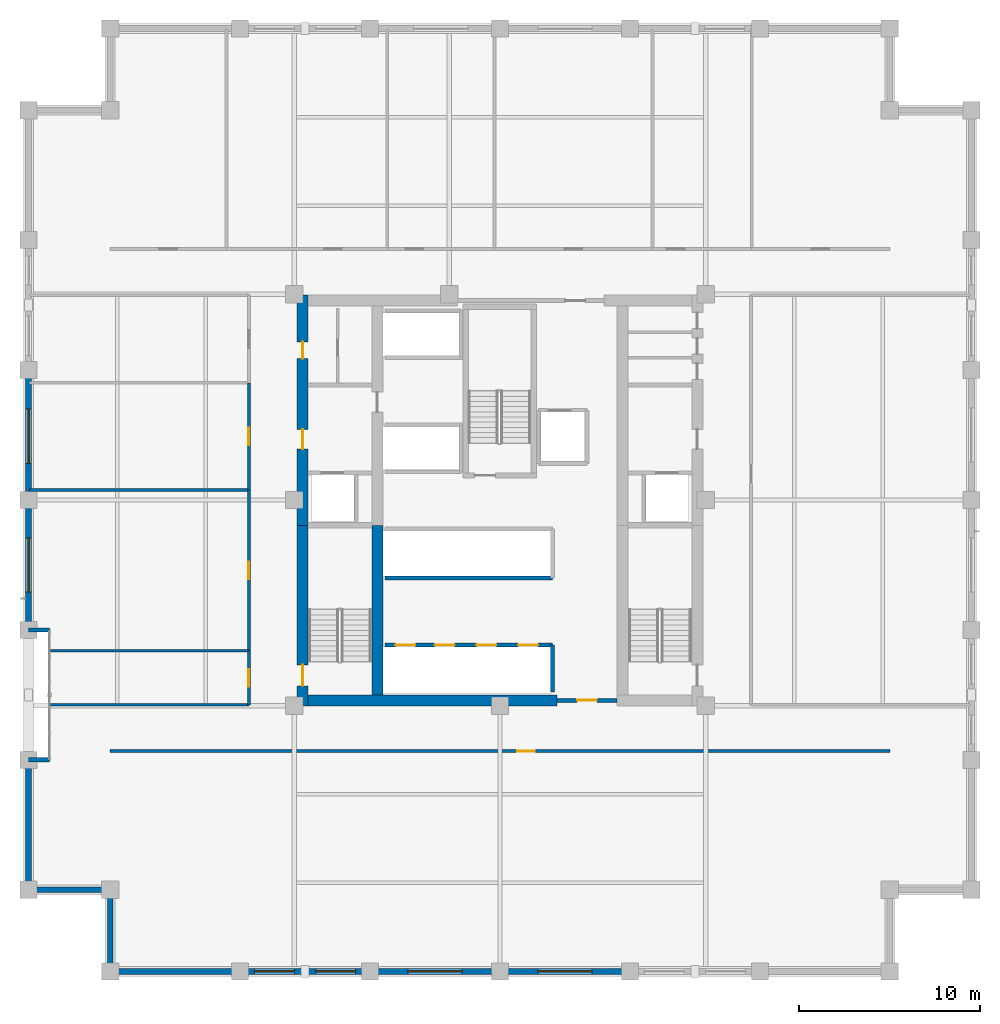
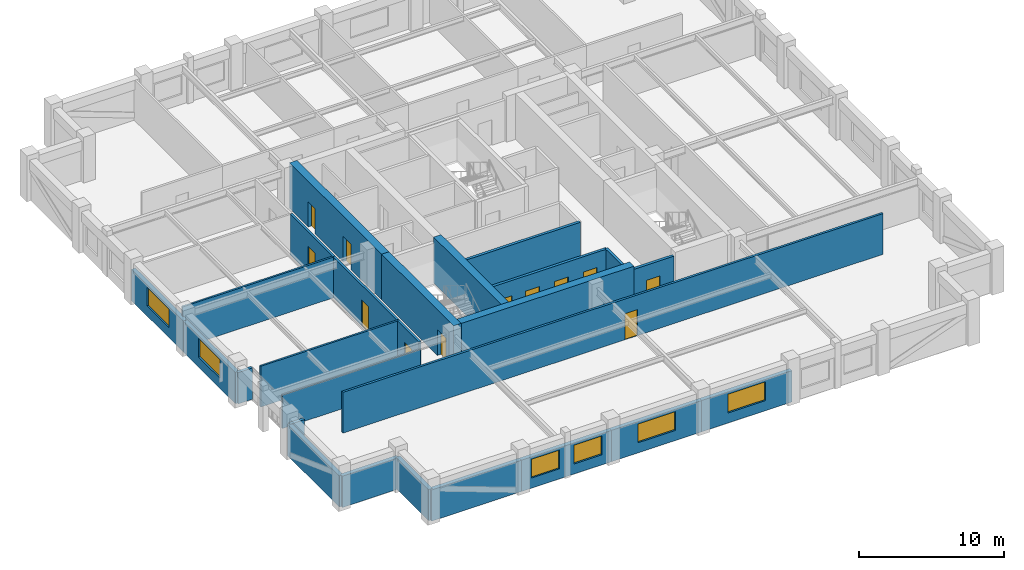
# One storey, part 9 of 14: 26 walls, 12 doors, 6 windows, 18 openings.
"""IFC4 building model written with IfcOpenShell, lengths in metres."""

from ifc_helpers import new_model, si_unit, direction, frame, frame_2d, origin, place, context, subcontext, project, spatial, rectangle, extrude, material, layer, layer_set, type_object, element, fill, save


model = new_model("IFC4")

# Units and contexts
model_context = context("Model", 3, precision=1e-05, world=origin(), true_north=direction((0.0, 1.0)))
body_context = subcontext(model_context, "Body", "Model", "MODEL_VIEW")
ifc_project = project(units=[si_unit("LENGTHUNIT", "METRE"), si_unit("AREAUNIT", "SQUARE_METRE"), si_unit("VOLUMEUNIT", "CUBIC_METRE"), si_unit("PLANEANGLEUNIT", "RADIAN"), si_unit("MASSUNIT", "GRAM", prefix="KILO")], contexts=[model_context])

# Site, building, storey
site_placement = place(None, origin())
site = spatial("IfcSite", under=ifc_project, at=site_placement, CompositionType="ELEMENT")
building_placement = place(site_placement, origin())
building = spatial("IfcBuilding", under=site, at=building_placement, Name="Nhamokura Convention Tower", CompositionType="ELEMENT")
storey_placement = place(building_placement, frame((0.0, 0.0, 172.199951171875)))
storey = spatial("IfcBuildingStorey", under=building, at=storey_placement, Name="L42", CompositionType="ELEMENT", Elevation=172.199951171875)

# Wall
ifc_material_1 = material(Name="Bronze-pigmented precast concrete C45/55", Category="concrete")
ifc_layer_1 = layer(ifc_material_1, 0.320068359375)
ifc_layer_set_1 = layer_set([ifc_layer_1], Name="BronzePrecastSpandrel_320")
wall_type_1 = type_object("IfcWallType", Name="BronzePrecastSpandrel_320", PredefinedType="USERDEFINED", material=ifc_layer_set_1)
wall_1_placement = place(storey_placement, frame((17.666748046875, 6.0, 0.0), z_axis=(0.0, 0.0, 1.0), x_axis=(-1.0, 0.0, 0.0)))
element("IfcWall", 1, at=wall_1_placement, inside=storey, type_object=wall_type_1, Name="L42 Braced-Bay Precast Wall SOUTH 0", ObjectType="SPANDREL_WALL", PredefinedType="USERDEFINED", context=body_context, shape_type="SweptSolid", body=[
    extrude(rectangle(XDim=7.166748046875, YDim=0.320068359375, at=frame_2d((3.58349609375, 0.0))), origin(), (0.0, 0.0, 1.0), 2.630126953125),
])

# Wall, openings, windows
wall_2_placement = place(storey_placement, frame((24.833251953125, 6.0, 0.0), z_axis=(0.0, 0.0, 1.0), x_axis=(-1.0, 0.0, 0.0)))
wall_2 = element("IfcWall", 2, at=wall_2_placement, inside=storey, type_object=wall_type_1, Name="L42 Masonry-Frame Wall SOUTH 1", ObjectType="SPANDREL_WALL", PredefinedType="USERDEFINED", context=body_context, shape_type="SweptSolid", body=[
    extrude(rectangle(XDim=7.16650390625, YDim=0.320068359375, at=frame_2d((3.583251953125, 0.0))), origin(), (0.0, 0.0, 1.0), 2.630126953125),
])
opening_1_placement = place(wall_2_placement, frame((0.791748046875, 0.0, 0.85009765625)))
opening_1 = element("IfcOpeningElement", 3, at=opening_1_placement, cuts=wall_2, Name="Opening W-06", PredefinedType="OPENING", context=body_context, shape_type="SweptSolid", body=[
    extrude(rectangle(XDim=2.199951171875, YDim=1.580078125, at=frame_2d((1.10009765625, 0.7900390625))), frame((0.0, 0.169921875, 0.0), z_axis=(0.0, -1.0, 0.0), x_axis=(1.0, 0.0, 0.0)), (0.0, 0.0, 1.0), 0.340087890625),
])
opening_2_placement = place(wall_2_placement, frame((4.175048828125, 0.0, 0.85009765625)))
opening_2 = element("IfcOpeningElement", 4, at=opening_2_placement, cuts=wall_2, Name="Opening W-06", PredefinedType="OPENING", context=body_context, shape_type="SweptSolid", body=[
    extrude(rectangle(XDim=2.199951171875, YDim=1.580078125, at=frame_2d((1.10009765625, 0.7900390625))), frame((0.0, 0.169921875, 0.0), z_axis=(0.0, -1.0, 0.0), x_axis=(1.0, 0.0, 0.0)), (0.0, 0.0, 1.0), 0.340087890625),
])
ifc_material_2 = material(Name="Solar-control bronze low-E double glass", Category="glass")
window_type_1 = type_object("IfcWindowType", Name="OfficeModuleWindow_Z2_2200", PartitioningType="SINGLE_PANEL", PredefinedType="WINDOW", material=ifc_material_2)
window_1_placement = place(opening_1_placement, origin())
window_1 = element("IfcWindow", 5, at=window_1_placement, inside=storey, type_object=window_type_1, Name="L42 Facade Window SOUTH 1-1", OverallHeight=1.580078125, OverallWidth=2.199951171875, PartitioningType="SINGLE_PANEL", PredefinedType="WINDOW", context=body_context, shape_type="SweptSolid", body=[
    extrude(rectangle(XDim=2.199951171875, YDim=1.580078125, at=frame_2d((1.10009765625, 0.7900390625))), frame((0.0, 0.030029296875, 0.0), z_axis=(0.0, -1.0, 0.0), x_axis=(1.0, 0.0, 0.0)), (0.0, 0.0, 1.0), 0.06005859375),
])
fill(opening_1, window_1)
window_2_placement = place(opening_2_placement, origin())
window_2 = element("IfcWindow", 6, at=window_2_placement, inside=storey, type_object=window_type_1, Name="L42 Facade Window SOUTH 1-2", OverallHeight=1.580078125, OverallWidth=2.199951171875, PartitioningType="SINGLE_PANEL", PredefinedType="WINDOW", context=body_context, shape_type="SweptSolid", body=[
    extrude(rectangle(XDim=2.199951171875, YDim=1.580078125, at=frame_2d((1.10009765625, 0.7900390625))), frame((0.0, 0.030029296875, 0.0), z_axis=(0.0, -1.0, 0.0), x_axis=(1.0, 0.0, 0.0)), (0.0, 0.0, 1.0), 0.06005859375),
])
fill(opening_2, window_2)

# Wall, opening, window
wall_3_placement = place(storey_placement, frame((32.0, 6.0, 0.0), z_axis=(0.0, 0.0, 1.0), x_axis=(-1.0, 0.0, 0.0)))
wall_3 = element("IfcWall", 7, at=wall_3_placement, inside=storey, type_object=wall_type_1, Name="L42 Masonry-Frame Wall SOUTH 2", ObjectType="SPANDREL_WALL", PredefinedType="USERDEFINED", context=body_context, shape_type="SweptSolid", body=[
    extrude(rectangle(XDim=7.166748046875, YDim=0.320068359375, at=frame_2d((3.58349609375, 0.0))), origin(), (0.0, 0.0, 1.0), 2.630126953125),
])
opening_3_placement = place(wall_3_placement, frame((2.083251953125, 0.0, 0.85009765625)))
opening_3 = element("IfcOpeningElement", 8, at=opening_3_placement, cuts=wall_3, Name="Opening W-05", PredefinedType="OPENING", context=body_context, shape_type="SweptSolid", body=[
    extrude(rectangle(XDim=3.0, YDim=1.580078125, at=frame_2d((1.5, 0.7900390625))), frame((0.0, 0.169921875, 0.0), z_axis=(0.0, -1.0, 0.0), x_axis=(1.0, 0.0, 0.0)), (0.0, 0.0, 1.0), 0.340087890625),
])
ifc_material_3 = material(Name="Solar-control bronze low-E double glass", Category="glass")
window_type_2 = type_object("IfcWindowType", Name="OfficeModuleWindow_Z2_3000", PartitioningType="DOUBLE_PANEL_VERTICAL", PredefinedType="WINDOW", material=ifc_material_3)
window_3_placement = place(opening_3_placement, origin())
window_3 = element("IfcWindow", 9, at=window_3_placement, inside=storey, type_object=window_type_2, Name="L42 Facade Window SOUTH 2", OverallHeight=1.580078125, OverallWidth=3.0, PartitioningType="SINGLE_PANEL", PredefinedType="WINDOW", context=body_context, shape_type="SweptSolid", body=[
    extrude(rectangle(XDim=3.0, YDim=1.580078125, at=frame_2d((1.5, 0.7900390625))), frame((0.0, 0.030029296875, 0.0), z_axis=(0.0, -1.0, 0.0), x_axis=(1.0, 0.0, 0.0)), (0.0, 0.0, 1.0), 0.06005859375),
])
fill(opening_3, window_3)

wall_4_placement = place(storey_placement, frame((39.166748046875, 6.0, 0.0), z_axis=(0.0, 0.0, 1.0), x_axis=(-1.0, 0.0, 0.0)))
wall_4 = element("IfcWall", 10, at=wall_4_placement, inside=storey, type_object=wall_type_1, Name="L42 Masonry-Frame Wall SOUTH 3", ObjectType="SPANDREL_WALL", PredefinedType="USERDEFINED", context=body_context, shape_type="SweptSolid", body=[
    extrude(rectangle(XDim=7.166748046875, YDim=0.320068359375, at=frame_2d((3.58349609375, 0.0))), origin(), (0.0, 0.0, 1.0), 2.630126953125),
])
opening_4_placement = place(wall_4_placement, frame((2.083251953125, 0.0, 0.85009765625)))
opening_4 = element("IfcOpeningElement", 11, at=opening_4_placement, cuts=wall_4, Name="Opening W-05", PredefinedType="OPENING", context=body_context, shape_type="SweptSolid", body=[
    extrude(rectangle(XDim=3.0, YDim=1.580078125, at=frame_2d((1.5, 0.7900390625))), frame((0.0, 0.169921875, 0.0), z_axis=(0.0, -1.0, 0.0), x_axis=(1.0, 0.0, 0.0)), (0.0, 0.0, 1.0), 0.340087890625),
])
window_4_placement = place(opening_4_placement, origin())
window_4 = element("IfcWindow", 12, at=window_4_placement, inside=storey, type_object=window_type_2, Name="L42 Facade Window SOUTH 3", OverallHeight=1.580078125, OverallWidth=3.0, PartitioningType="SINGLE_PANEL", PredefinedType="WINDOW", context=body_context, shape_type="SweptSolid", body=[
    extrude(rectangle(XDim=3.0, YDim=1.580078125, at=frame_2d((1.5, 0.7900390625))), frame((0.0, 0.030029296875, 0.0), z_axis=(0.0, -1.0, 0.0), x_axis=(1.0, 0.0, 0.0)), (0.0, 0.0, 1.0), 0.06005859375),
])
fill(opening_4, window_4)

# Walls
for number, where, z_axis, x_axis, name in (
    (13, (6.0, 17.666748046875, 0.0), (0.0, 0.0, 1.0), (1.0, 0.0, 0.0), "L42 Scale Slot Cheek Wall WESTA"),
    (14, (6.0, 24.833251953125, 0.0), (0.0, 0.0, 1.0), (1.0, 0.0, 0.0), "L42 Scale Slot Cheek Wall WESTB"),
):
    element("IfcWall", number, at=place(storey_placement, frame(where, z_axis=z_axis, x_axis=x_axis)), inside=storey, type_object=wall_type_1, Name=name, ObjectType="SPANDREL_WALL", PredefinedType="USERDEFINED", context=body_context, shape_type="SweptSolid", body=[
        extrude(rectangle(XDim=1.14990234375, YDim=0.239990234375, at=frame_2d((0.574951171875, 0.0))), origin(), (0.0, 0.0, 1.0), 2.630126953125),
    ])
wall_5_placement = place(storey_placement, frame((6.0, 10.5, 0.0), z_axis=(0.0, 0.0, 1.0), x_axis=(0.0, 1.0, 0.0)))
element("IfcWall", 15, at=wall_5_placement, inside=storey, type_object=wall_type_1, Name="L42 Braced-Bay Precast Wall WEST 0", ObjectType="SPANDREL_WALL", PredefinedType="USERDEFINED", context=body_context, shape_type="SweptSolid", body=[
    extrude(rectangle(XDim=7.166748046875, YDim=0.320068359375, at=frame_2d((3.58349609375, 0.0))), origin(), (0.0, 0.0, 1.0), 2.630126953125),
])

# Wall, opening, window
wall_6_placement = place(storey_placement, frame((6.0, 24.833251953125, 0.0), z_axis=(0.0, 0.0, 1.0), x_axis=(0.0, 1.0, 0.0)))
wall_6 = element("IfcWall", 16, at=wall_6_placement, inside=storey, type_object=wall_type_1, Name="L42 Masonry-Frame Wall WEST 2", ObjectType="SPANDREL_WALL", PredefinedType="USERDEFINED", context=body_context, shape_type="SweptSolid", body=[
    extrude(rectangle(XDim=7.166748046875, YDim=0.320068359375, at=frame_2d((3.58349609375, 0.0))), origin(), (0.0, 0.0, 1.0), 2.630126953125),
])
opening_5_placement = place(wall_6_placement, frame((2.083251953125, 0.0, 0.85009765625)))
opening_5 = element("IfcOpeningElement", 17, at=opening_5_placement, cuts=wall_6, Name="Opening W-05", PredefinedType="OPENING", context=body_context, shape_type="SweptSolid", body=[
    extrude(rectangle(XDim=3.0, YDim=1.580078125, at=frame_2d((1.5, 0.7900390625))), frame((0.0, 0.169921875, 0.0), z_axis=(0.0, -1.0, 0.0), x_axis=(1.0, 0.0, 0.0)), (0.0, 0.0, 1.0), 0.340087890625),
])
window_5_placement = place(opening_5_placement, origin())
window_5 = element("IfcWindow", 18, at=window_5_placement, inside=storey, type_object=window_type_2, Name="L42 Facade Window WEST 2", OverallHeight=1.580078125, OverallWidth=3.0, PartitioningType="SINGLE_PANEL", PredefinedType="WINDOW", context=body_context, shape_type="SweptSolid", body=[
    extrude(rectangle(XDim=3.0, YDim=1.580078125, at=frame_2d((1.5, 0.7900390625))), frame((0.0, 0.030029296875, 0.0), z_axis=(0.0, -1.0, 0.0), x_axis=(1.0, 0.0, 0.0)), (0.0, 0.0, 1.0), 0.06005859375),
])
fill(opening_5, window_5)

wall_7_placement = place(storey_placement, frame((6.0, 32.0, 0.0), z_axis=(0.0, 0.0, 1.0), x_axis=(0.0, 1.0, 0.0)))
wall_7 = element("IfcWall", 19, at=wall_7_placement, inside=storey, type_object=wall_type_1, Name="L42 Masonry-Frame Wall WEST 3", ObjectType="SPANDREL_WALL", PredefinedType="USERDEFINED", context=body_context, shape_type="SweptSolid", body=[
    extrude(rectangle(XDim=7.166748046875, YDim=0.320068359375, at=frame_2d((3.58349609375, 0.0))), origin(), (0.0, 0.0, 1.0), 2.630126953125),
])
opening_6_placement = place(wall_7_placement, frame((2.00830078125, 0.0, 0.85009765625)))
opening_6 = element("IfcOpeningElement", 20, at=opening_6_placement, cuts=wall_7, Name="Opening W-05", PredefinedType="OPENING", context=body_context, shape_type="SweptSolid", body=[
    extrude(rectangle(XDim=3.0, YDim=1.580078125, at=frame_2d((1.5, 0.7900390625))), frame((0.0, 0.169921875, 0.0), z_axis=(0.0, -1.0, 0.0), x_axis=(1.0, 0.0, 0.0)), (0.0, 0.0, 1.0), 0.340087890625),
])
window_6_placement = place(opening_6_placement, origin())
window_6 = element("IfcWindow", 21, at=window_6_placement, inside=storey, type_object=window_type_2, Name="L42 Facade Window WEST 3", OverallHeight=1.580078125, OverallWidth=3.0, PartitioningType="SINGLE_PANEL", PredefinedType="WINDOW", context=body_context, shape_type="SweptSolid", body=[
    extrude(rectangle(XDim=3.0, YDim=1.580078125, at=frame_2d((1.5, 0.7900390625))), frame((0.0, 0.030029296875, 0.0), z_axis=(0.0, -1.0, 0.0), x_axis=(1.0, 0.0, 0.0)), (0.0, 0.0, 1.0), 0.06005859375),
])
fill(opening_6, window_6)

# Walls
for number, where, z_axis, x_axis, name in (
    (22, (10.5, 6.0, 0.0), (0.0, 0.0, 1.0), (0.0, 1.0, 0.0), "L42 Notched Corner Wall SW1"),
    (23, (10.5, 10.5, 0.0), (0.0, 0.0, 1.0), (-1.0, 0.0, 0.0), "L42 Notched Corner Wall SW2"),
):
    element("IfcWall", number, at=place(storey_placement, frame(where, z_axis=z_axis, x_axis=x_axis)), inside=storey, type_object=wall_type_1, Name=name, ObjectType="SPANDREL_WALL", PredefinedType="USERDEFINED", context=body_context, shape_type="SweptSolid", body=[
        extrude(rectangle(XDim=4.5, YDim=0.320068359375, at=frame_2d((2.25, 0.0))), origin(), (0.0, 0.0, 1.0), 2.630126953125),
    ])

# Wall, opening, door
ifc_material_4 = material(Name="Concrete C60/75", Category="concrete")
ifc_layer_2 = layer(ifc_material_4, 0.60009765625)
ifc_layer_set_2 = layer_set([ifc_layer_2], Name="CoreShearWall_600")
wall_type_2 = type_object("IfcWallType", Name="CoreShearWall_600", PredefinedType="SHEAR", material=ifc_layer_set_2)
wall_8_placement = place(storey_placement, frame((21.110107421875, 20.64990234375, 0.0), z_axis=(0.0, 0.0, 1.0), x_axis=(0.0, 1.0, 0.0)))
wall_8 = element("IfcWall", 24, at=wall_8_placement, inside=storey, type_object=wall_type_2, Name="L42 Core Shear Wall CW-WS", PredefinedType="SHEAR", context=body_context, shape_type="SweptSolid", body=[
    extrude(rectangle(XDim=9.9501953125, YDim=0.60009765625, at=frame_2d((4.97509765625, 0.0))), origin(), (0.0, 0.0, 1.0), 3.85009765625),
])
opening_7_placement = place(wall_8_placement, frame((1.10009765625, 0.0, 0.0)))
opening_7 = element("IfcOpeningElement", 25, at=opening_7_placement, cuts=wall_8, Name="Opening D-04", PredefinedType="OPENING", context=body_context, shape_type="SweptSolid", body=[
    extrude(rectangle(XDim=1.14990234375, YDim=2.14990234375, at=frame_2d((0.574951171875, 1.074951171875))), frame((0.0, 0.31005859375, 0.0), z_axis=(0.0, -1.0, 0.0), x_axis=(1.0, 0.0, 0.0)), (0.0, 0.0, 1.0), 0.6201171875),
])
ifc_material_5 = material(Name="Fire-rated steel door", Category="steel")
door_type_1 = type_object("IfcDoorType", Name="StairSmokeDoor_1150", OperationType="NOTDEFINED", PredefinedType="DOOR", material=ifc_material_5)
door_1_placement = place(opening_7_placement, origin())
door_1 = element("IfcDoor", 26, at=door_1_placement, inside=storey, type_object=door_type_1, Name="L42 Core Door INT-L42-D-ST01", OperationType="SINGLE_SWING_LEFT", OverallHeight=2.14990234375, OverallWidth=1.14990234375, PredefinedType="DOOR", context=body_context, shape_type="SweptSolid", body=[
    extrude(rectangle(XDim=1.14990234375, YDim=2.14990234375, at=frame_2d((0.574951171875, 1.074951171875))), frame((0.0, 0.02490234375, 0.0), z_axis=(0.0, -1.0, 0.0), x_axis=(1.0, 0.0, 0.0)), (0.0, 0.0, 1.0), 0.050048828125),
])
fill(opening_7, door_1)

# Wall, openings, doors
wall_9_placement = place(storey_placement, frame((21.110107421875, 30.60009765625, 0.0), z_axis=(0.0, 0.0, 1.0), x_axis=(0.0, 1.0, 0.0)))
wall_9 = element("IfcWall", 27, at=wall_9_placement, inside=storey, type_object=wall_type_2, Name="L42 Core Shear Wall CW-WN", PredefinedType="SHEAR", context=body_context, shape_type="SweptSolid", body=[
    extrude(rectangle(XDim=12.699951171875, YDim=0.60009765625, at=frame_2d((6.35009765625, 0.0))), origin(), (0.0, 0.0, 1.0), 3.85009765625),
])
opening_8_placement = place(wall_9_placement, frame((4.199951171875, 0.0, 0.0)))
opening_8 = element("IfcOpeningElement", 28, at=opening_8_placement, cuts=wall_9, Name="Opening D-05", PredefinedType="OPENING", context=body_context, shape_type="SweptSolid", body=[
    extrude(rectangle(XDim=1.10009765625, YDim=2.14990234375, at=frame_2d((0.550048828125, 1.074951171875))), frame((0.0, 0.31005859375, 0.0), z_axis=(0.0, -1.0, 0.0), x_axis=(1.0, 0.0, 0.0)), (0.0, 0.0, 1.0), 0.6201171875),
])
opening_9_placement = place(wall_9_placement, frame((9.199951171875, 0.0, 0.0)))
opening_9 = element("IfcOpeningElement", 29, at=opening_9_placement, cuts=wall_9, Name="Opening D-10", PredefinedType="OPENING", context=body_context, shape_type="SweptSolid", body=[
    extrude(rectangle(XDim=0.919921875, YDim=2.10009765625, at=frame_2d((0.4599609375, 1.050048828125))), frame((0.0, 0.31005859375, 0.0), z_axis=(0.0, -1.0, 0.0), x_axis=(1.0, 0.0, 0.0)), (0.0, 0.0, 1.0), 0.6201171875),
])
ifc_material_6 = material(Name="Solid oak hardwood", Category="wood")
door_type_2 = type_object("IfcDoorType", Name="AccessibleWCDoor_920", OperationType="NOTDEFINED", PredefinedType="DOOR", material=ifc_material_6)
door_2_placement = place(opening_9_placement, origin())
door_2 = element("IfcDoor", 30, at=door_2_placement, inside=storey, type_object=door_type_2, Name="L42 Core Door INT-L42-D-AWCW", OperationType="SINGLE_SWING_RIGHT", OverallHeight=2.10009765625, OverallWidth=0.919921875, PredefinedType="DOOR", context=body_context, shape_type="SweptSolid", body=[
    extrude(rectangle(XDim=0.919921875, YDim=2.10009765625, at=frame_2d((0.4599609375, 1.050048828125))), frame((0.0, 0.02490234375, 0.0), z_axis=(0.0, -1.0, 0.0), x_axis=(1.0, 0.0, 0.0)), (0.0, 0.0, 1.0), 0.050048828125),
])
fill(opening_9, door_2)
ifc_material_7 = material(Name="Fire-rated steel door", Category="steel")
door_type_3 = type_object("IfcDoorType", Name="FireLobbyDoor_1100", OperationType="NOTDEFINED", PredefinedType="DOOR", material=ifc_material_7)
door_3_placement = place(opening_8_placement, origin())
door_3 = element("IfcDoor", 31, at=door_3_placement, inside=storey, type_object=door_type_3, Name="L42 Core Door INT-L42-D-FFLW", OperationType="SINGLE_SWING_RIGHT", OverallHeight=2.14990234375, OverallWidth=1.10009765625, PredefinedType="DOOR", context=body_context, shape_type="SweptSolid", body=[
    extrude(rectangle(XDim=1.10009765625, YDim=2.14990234375, at=frame_2d((0.550048828125, 1.074951171875))), frame((0.0, 0.02490234375, 0.0), z_axis=(0.0, -1.0, 0.0), x_axis=(1.0, 0.0, 0.0)), (0.0, 0.0, 1.0), 0.050048828125),
])
fill(opening_8, door_3)

# Walls
wall_10_placement = place(storey_placement, frame((21.409912109375, 20.949951171875, 0.0), z_axis=(0.0, 0.0, 1.0), x_axis=(1.0, 0.0, 0.0)))
element("IfcWall", 32, at=wall_10_placement, inside=storey, type_object=wall_type_2, Name="L42 Core Shear Wall CW-S1", PredefinedType="SHEAR", context=body_context, shape_type="SweptSolid", body=[
    extrude(rectangle(XDim=13.739990234375, YDim=0.60009765625, at=frame_2d((6.8701171875, 0.0))), origin(), (0.0, 0.0, 1.0), 3.85009765625),
])
wall_11_placement = place(storey_placement, frame((25.239990234375, 21.25, 0.0), z_axis=(0.0, 0.0, 1.0), x_axis=(0.0, 1.0, 0.0)))
element("IfcWall", 33, at=wall_11_placement, inside=storey, type_object=wall_type_2, Name="L42 Core Shear Wall CW-IWS", PredefinedType="SHEAR", context=body_context, shape_type="SweptSolid", body=[
    extrude(rectangle(XDim=9.35009765625, YDim=0.60009765625, at=frame_2d((4.675048828125, 0.0))), origin(), (0.0, 0.0, 1.0), 3.85009765625),
])

# Wall, opening, door
ifc_material_8 = material(Name="Fire-rated gypsum and masonry partition", Category="masonry")
ifc_layer_3 = layer(ifc_material_8, 0.179931640625)
ifc_layer_set_3 = layer_set([ifc_layer_3], Name="CorridorRatedWall_180")
wall_type_3 = type_object("IfcWallType", Name="CorridorRatedWall_180", PredefinedType="STANDARD", material=ifc_layer_set_3)
wall_12_placement = place(storey_placement, frame((10.5, 18.14990234375, 0.0), z_axis=(0.0, 0.0, 1.0), x_axis=(1.0, 0.0, 0.0)))
wall_12 = element("IfcWall", 34, at=wall_12_placement, inside=storey, type_object=wall_type_3, Name="L42 Wall INT-L42-CW-S00", PredefinedType="STANDARD", context=body_context, shape_type="SweptSolid", body=[
    extrude(rectangle(XDim=43.0, YDim=0.179931640625, at=frame_2d((21.5, 0.0))), origin(), (0.0, 0.0, 1.0), 3.429931640625),
])
opening_10_placement = place(wall_12_placement, frame((22.449951171875, 0.0, 0.0)))
opening_10 = element("IfcOpeningElement", 35, at=opening_10_placement, cuts=wall_12, Name="Opening D-08", PredefinedType="OPENING", context=body_context, shape_type="SweptSolid", body=[
    extrude(rectangle(XDim=0.97998046875, YDim=2.199951171875, at=frame_2d((0.489990234375, 1.10009765625))), frame((0.0, 0.099853515625, 0.0), z_axis=(0.0, -1.0, 0.0), x_axis=(1.0, 0.0, 0.0)), (0.0, 0.0, 1.0), 0.199951171875),
])
ifc_material_9 = material(Name="Solid oak hardwood", Category="wood")
door_type_4 = type_object("IfcDoorType", Name="OfficeEntryDoor_980", OperationType="NOTDEFINED", PredefinedType="DOOR", material=ifc_material_9)
door_4_placement = place(opening_10_placement, origin())
door_4 = element("IfcDoor", 36, at=door_4_placement, inside=storey, type_object=door_type_4, Name="L42 Auditorium Lounge S01 Door", OperationType="SINGLE_SWING_LEFT", OverallHeight=2.199951171875, OverallWidth=0.97998046875, PredefinedType="DOOR", context=body_context, shape_type="SweptSolid", body=[
    extrude(rectangle(XDim=0.97998046875, YDim=2.199951171875, at=frame_2d((0.489990234375, 1.10009765625))), frame((0.0, 0.02490234375, 0.0), z_axis=(0.0, -1.0, 0.0), x_axis=(1.0, 0.0, 0.0)), (0.0, 0.0, 1.0), 0.050048828125),
])
fill(opening_10, door_4)

wall_13_placement = place(storey_placement, frame((18.14990234375, 20.699951171875, 0.0), z_axis=(0.0, 0.0, 1.0), x_axis=(0.0, 1.0, 0.0)))
wall_13 = element("IfcWall", 37, at=wall_13_placement, inside=storey, type_object=wall_type_3, Name="L42 Wall INT-L42-CW-W00", PredefinedType="STANDARD", context=body_context, shape_type="SweptSolid", body=[
    extrude(rectangle(XDim=2.9833984375, YDim=0.179931640625, at=frame_2d((1.49169921875, 0.0))), origin(), (0.0, 0.0, 1.0), 3.429931640625),
])
opening_11_placement = place(wall_13_placement, frame((0.99169921875, 0.0, 0.0)))
opening_11 = element("IfcOpeningElement", 38, at=opening_11_placement, cuts=wall_13, Name="Opening D-08", PredefinedType="OPENING", context=body_context, shape_type="SweptSolid", body=[
    extrude(rectangle(XDim=0.97998046875, YDim=2.199951171875, at=frame_2d((0.489990234375, 1.10009765625))), frame((0.0, 0.099853515625, 0.0), z_axis=(0.0, -1.0, 0.0), x_axis=(1.0, 0.0, 0.0)), (0.0, 0.0, 1.0), 0.199951171875),
])
door_5_placement = place(opening_11_placement, origin())
door_5 = element("IfcDoor", 39, at=door_5_placement, inside=storey, type_object=door_type_4, Name="L42 Archive Store W01 Door", OperationType="SINGLE_SWING_LEFT", OverallHeight=2.199951171875, OverallWidth=0.97998046875, PredefinedType="DOOR", context=body_context, shape_type="SweptSolid", body=[
    extrude(rectangle(XDim=0.97998046875, YDim=2.199951171875, at=frame_2d((0.489990234375, 1.10009765625))), frame((0.0, 0.02490234375, 0.0), z_axis=(0.0, -1.0, 0.0), x_axis=(1.0, 0.0, 0.0)), (0.0, 0.0, 1.0), 0.050048828125),
])
fill(opening_11, door_5)

wall_14_placement = place(storey_placement, frame((18.14990234375, 23.683349609375, 0.0), z_axis=(0.0, 0.0, 1.0), x_axis=(0.0, 1.0, 0.0)))
wall_14 = element("IfcWall", 40, at=wall_14_placement, inside=storey, type_object=wall_type_3, Name="L42 Wall INT-L42-CW-W01", PredefinedType="STANDARD", context=body_context, shape_type="SweptSolid", body=[
    extrude(rectangle(XDim=8.86669921875, YDim=0.179931640625, at=frame_2d((4.433349609375, 0.0))), origin(), (0.0, 0.0, 1.0), 3.429931640625),
])
opening_12_placement = place(wall_14_placement, frame((3.933349609375, 0.0, 0.0)))
opening_12 = element("IfcOpeningElement", 41, at=opening_12_placement, cuts=wall_14, Name="Opening D-08", PredefinedType="OPENING", context=body_context, shape_type="SweptSolid", body=[
    extrude(rectangle(XDim=0.97998046875, YDim=2.199951171875, at=frame_2d((0.489990234375, 1.10009765625))), frame((0.0, 0.099853515625, 0.0), z_axis=(0.0, -1.0, 0.0), x_axis=(1.0, 0.0, 0.0)), (0.0, 0.0, 1.0), 0.199951171875),
])
door_6_placement = place(opening_12_placement, origin())
door_6 = element("IfcDoor", 42, at=door_6_placement, inside=storey, type_object=door_type_4, Name="L42 Private Office W02 Door", OperationType="SINGLE_SWING_RIGHT", OverallHeight=2.199951171875, OverallWidth=0.97998046875, PredefinedType="DOOR", context=body_context, shape_type="SweptSolid", body=[
    extrude(rectangle(XDim=0.97998046875, YDim=2.199951171875, at=frame_2d((0.489990234375, 1.10009765625))), frame((0.0, 0.02490234375, 0.0), z_axis=(0.0, -1.0, 0.0), x_axis=(1.0, 0.0, 0.0)), (0.0, 0.0, 1.0), 0.050048828125),
])
fill(opening_12, door_6)

wall_15_placement = place(storey_placement, frame((18.14990234375, 32.550048828125, 0.0), z_axis=(0.0, 0.0, 1.0), x_axis=(0.0, 1.0, 0.0)))
wall_15 = element("IfcWall", 43, at=wall_15_placement, inside=storey, type_object=wall_type_3, Name="L42 Wall INT-L42-CW-W02", PredefinedType="STANDARD", context=body_context, shape_type="SweptSolid", body=[
    extrude(rectangle(XDim=5.916748046875, YDim=0.179931640625, at=frame_2d((2.95849609375, 0.0))), origin(), (0.0, 0.0, 1.0), 3.429931640625),
])
opening_13_placement = place(wall_15_placement, frame((2.45849609375, 0.0, 0.0)))
opening_13 = element("IfcOpeningElement", 44, at=opening_13_placement, cuts=wall_15, Name="Opening D-08", PredefinedType="OPENING", context=body_context, shape_type="SweptSolid", body=[
    extrude(rectangle(XDim=0.97998046875, YDim=2.199951171875, at=frame_2d((0.489990234375, 1.10009765625))), frame((0.0, 0.099853515625, 0.0), z_axis=(0.0, -1.0, 0.0), x_axis=(1.0, 0.0, 0.0)), (0.0, 0.0, 1.0), 0.199951171875),
])
door_7_placement = place(opening_13_placement, origin())
door_7 = element("IfcDoor", 45, at=door_7_placement, inside=storey, type_object=door_type_4, Name="L42 Private Office W03 Door", OperationType="SINGLE_SWING_LEFT", OverallHeight=2.199951171875, OverallWidth=0.97998046875, PredefinedType="DOOR", context=body_context, shape_type="SweptSolid", body=[
    extrude(rectangle(XDim=0.97998046875, YDim=2.199951171875, at=frame_2d((0.489990234375, 1.10009765625))), frame((0.0, 0.02490234375, 0.0), z_axis=(0.0, -1.0, 0.0), x_axis=(1.0, 0.0, 0.0)), (0.0, 0.0, 1.0), 0.050048828125),
])
fill(opening_13, door_7)

ifc_material_10 = material(Name="Autoclaved concrete blockwork", Category="masonry")
ifc_layer_4 = layer(ifc_material_10, 0.219970703125)
ifc_layer_set_4 = layer_set([ifc_layer_4], Name="FireLobbyWall_220")
wall_type_4 = type_object("IfcWallType", Name="FireLobbyWall_220", PredefinedType="STANDARD", material=ifc_layer_set_4)
wall_16_placement = place(storey_placement, frame((35.14990234375, 20.949951171875, 0.0), z_axis=(0.0, 0.0, 1.0), x_axis=(1.0, 0.0, 0.0)))
wall_16 = element("IfcWall", 46, at=wall_16_placement, inside=storey, type_object=wall_type_4, Name="L42 Wall INT-L42-SPORT-S", PredefinedType="STANDARD", context=body_context, shape_type="SweptSolid", body=[
    extrude(rectangle(XDim=3.300048828125, YDim=0.219970703125, at=frame_2d((1.64990234375, 0.0))), origin(), (0.0, 0.0, 1.0), 3.429931640625),
])
opening_14_placement = place(wall_16_placement, frame((1.10009765625, 0.0, 0.0)))
opening_14 = element("IfcOpeningElement", 47, at=opening_14_placement, cuts=wall_16, Name="Opening D-05", PredefinedType="OPENING", context=body_context, shape_type="SweptSolid", body=[
    extrude(rectangle(XDim=1.10009765625, YDim=2.14990234375, at=frame_2d((0.550048828125, 1.074951171875))), frame((0.0, 0.119873046875, 0.0), z_axis=(0.0, -1.0, 0.0), x_axis=(1.0, 0.0, 0.0)), (0.0, 0.0, 1.0), 0.239990234375),
])
door_8_placement = place(opening_14_placement, origin())
door_8 = element("IfcDoor", 48, at=door_8_placement, inside=storey, type_object=door_type_3, Name="L42 South Core Lobby Portal Door", OperationType="SINGLE_SWING_LEFT", OverallHeight=2.14990234375, OverallWidth=1.10009765625, PredefinedType="DOOR", context=body_context, shape_type="SweptSolid", body=[
    extrude(rectangle(XDim=1.10009765625, YDim=2.14990234375, at=frame_2d((0.550048828125, 1.074951171875))), frame((0.0, 0.02490234375, 0.0), z_axis=(0.0, -1.0, 0.0), x_axis=(1.0, 0.0, 0.0)), (0.0, 0.0, 1.0), 0.050048828125),
])
fill(opening_14, door_8)

# Wall, openings, doors
wall_17_placement = place(storey_placement, frame((25.64990234375, 24.0, 0.0), z_axis=(0.0, 0.0, 1.0), x_axis=(1.0, 0.0, 0.0)))
wall_17 = element("IfcWall", 49, at=wall_17_placement, inside=storey, type_object=wall_type_4, Name="L42 Wall INT-L42-B1N", PredefinedType="STANDARD", context=body_context, shape_type="SweptSolid", body=[
    extrude(rectangle(XDim=9.25, YDim=0.219970703125, at=frame_2d((4.625, 0.0))), origin(), (0.0, 0.0, 1.0), 3.429931640625),
])
opening_15_placement = place(wall_17_placement, frame((0.580078125, 0.0, 0.0)))
opening_15 = element("IfcOpeningElement", 50, at=opening_15_placement, cuts=wall_17, Name="Opening LD-01", PredefinedType="OPENING", context=body_context, shape_type="SweptSolid", body=[
    extrude(rectangle(XDim=1.10009765625, YDim=2.14990234375, at=frame_2d((0.550048828125, 1.074951171875))), frame((0.0, 0.119873046875, 0.0), z_axis=(0.0, -1.0, 0.0), x_axis=(1.0, 0.0, 0.0)), (0.0, 0.0, 1.0), 0.239990234375),
])
opening_16_placement = place(wall_17_placement, frame((2.75, 0.0, 0.0)))
opening_16 = element("IfcOpeningElement", 51, at=opening_16_placement, cuts=wall_17, Name="Opening LD-01", PredefinedType="OPENING", context=body_context, shape_type="SweptSolid", body=[
    extrude(rectangle(XDim=1.10009765625, YDim=2.14990234375, at=frame_2d((0.550048828125, 1.074951171875))), frame((0.0, 0.119873046875, 0.0), z_axis=(0.0, -1.0, 0.0), x_axis=(1.0, 0.0, 0.0)), (0.0, 0.0, 1.0), 0.239990234375),
])
opening_17_placement = place(wall_17_placement, frame((5.050048828125, 0.0, 0.0)))
opening_17 = element("IfcOpeningElement", 52, at=opening_17_placement, cuts=wall_17, Name="Opening LD-01", PredefinedType="OPENING", context=body_context, shape_type="SweptSolid", body=[
    extrude(rectangle(XDim=1.10009765625, YDim=2.14990234375, at=frame_2d((0.550048828125, 1.074951171875))), frame((0.0, 0.119873046875, 0.0), z_axis=(0.0, -1.0, 0.0), x_axis=(1.0, 0.0, 0.0)), (0.0, 0.0, 1.0), 0.239990234375),
])
opening_18_placement = place(wall_17_placement, frame((7.35009765625, 0.0, 0.0)))
opening_18 = element("IfcOpeningElement", 53, at=opening_18_placement, cuts=wall_17, Name="Opening LD-01", PredefinedType="OPENING", context=body_context, shape_type="SweptSolid", body=[
    extrude(rectangle(XDim=1.10009765625, YDim=2.14990234375, at=frame_2d((0.550048828125, 1.074951171875))), frame((0.0, 0.119873046875, 0.0), z_axis=(0.0, -1.0, 0.0), x_axis=(1.0, 0.0, 0.0)), (0.0, 0.0, 1.0), 0.239990234375),
])
ifc_material_11 = material(Name="Anodised bronze stainless steel", Category="steel")
door_type_5 = type_object("IfcDoorType", Name="LiftLandingDoor_Passenger", OperationType="DOUBLE_DOOR_SLIDING", PredefinedType="DOOR", material=ifc_material_11)
door_9_placement = place(opening_15_placement, origin())
door_9 = element("IfcDoor", 54, at=door_9_placement, inside=storey, type_object=door_type_5, Name="L42 Lift LP-01 Landing Door", OperationType="DOUBLE_DOOR_SLIDING", OverallHeight=2.14990234375, OverallWidth=1.10009765625, PredefinedType="DOOR", context=body_context, shape_type="SweptSolid", body=[
    extrude(rectangle(XDim=1.10009765625, YDim=2.14990234375, at=frame_2d((0.550048828125, 1.074951171875))), frame((0.0, 0.02490234375, 0.0), z_axis=(0.0, -1.0, 0.0), x_axis=(1.0, 0.0, 0.0)), (0.0, 0.0, 1.0), 0.050048828125),
])
fill(opening_15, door_9)
door_10_placement = place(opening_16_placement, origin())
door_10 = element("IfcDoor", 55, at=door_10_placement, inside=storey, type_object=door_type_5, Name="L42 Lift LP-02 Landing Door", OperationType="DOUBLE_DOOR_SLIDING", OverallHeight=2.14990234375, OverallWidth=1.10009765625, PredefinedType="DOOR", context=body_context, shape_type="SweptSolid", body=[
    extrude(rectangle(XDim=1.10009765625, YDim=2.14990234375, at=frame_2d((0.550048828125, 1.074951171875))), frame((0.0, 0.02490234375, 0.0), z_axis=(0.0, -1.0, 0.0), x_axis=(1.0, 0.0, 0.0)), (0.0, 0.0, 1.0), 0.050048828125),
])
fill(opening_16, door_10)
door_11_placement = place(opening_17_placement, origin())
door_11 = element("IfcDoor", 56, at=door_11_placement, inside=storey, type_object=door_type_5, Name="L42 Lift LP-03 Landing Door", OperationType="DOUBLE_DOOR_SLIDING", OverallHeight=2.14990234375, OverallWidth=1.10009765625, PredefinedType="DOOR", context=body_context, shape_type="SweptSolid", body=[
    extrude(rectangle(XDim=1.10009765625, YDim=2.14990234375, at=frame_2d((0.550048828125, 1.074951171875))), frame((0.0, 0.02490234375, 0.0), z_axis=(0.0, -1.0, 0.0), x_axis=(1.0, 0.0, 0.0)), (0.0, 0.0, 1.0), 0.050048828125),
])
fill(opening_17, door_11)
door_12_placement = place(opening_18_placement, origin())
door_12 = element("IfcDoor", 57, at=door_12_placement, inside=storey, type_object=door_type_5, Name="L42 Lift LP-04 Landing Door", OperationType="DOUBLE_DOOR_SLIDING", OverallHeight=2.14990234375, OverallWidth=1.10009765625, PredefinedType="DOOR", context=body_context, shape_type="SweptSolid", body=[
    extrude(rectangle(XDim=1.10009765625, YDim=2.14990234375, at=frame_2d((0.550048828125, 1.074951171875))), frame((0.0, 0.02490234375, 0.0), z_axis=(0.0, -1.0, 0.0), x_axis=(1.0, 0.0, 0.0)), (0.0, 0.0, 1.0), 0.050048828125),
])
fill(opening_18, door_12)

# Walls
wall_18_placement = place(storey_placement, frame((34.89990234375, 21.39990234375, 0.0), z_axis=(0.0, 0.0, 1.0), x_axis=(0.0, 1.0, 0.0)))
element("IfcWall", 58, at=wall_18_placement, inside=storey, type_object=wall_type_4, Name="L42 Wall INT-L42-B1E", PredefinedType="STANDARD", context=body_context, shape_type="SweptSolid", body=[
    extrude(rectangle(XDim=2.60009765625, YDim=0.219970703125, at=frame_2d((1.300048828125, 0.0))), origin(), (0.0, 0.0, 1.0), 3.429931640625),
])
wall_19_placement = place(storey_placement, frame((25.64990234375, 27.699951171875, 0.0), z_axis=(0.0, 0.0, 1.0), x_axis=(1.0, 0.0, 0.0)))
element("IfcWall", 59, at=wall_19_placement, inside=storey, type_object=wall_type_4, Name="L42 Wall INT-L42-B2S", PredefinedType="STANDARD", context=body_context, shape_type="SweptSolid", body=[
    extrude(rectangle(XDim=9.25, YDim=0.219970703125, at=frame_2d((4.625, 0.0))), origin(), (0.0, 0.0, 1.0), 3.429931640625),
])
ifc_material_12 = material(Name="Acoustic gypsum stud partition", Category="masonry")
ifc_layer_5 = layer(ifc_material_12, 0.14990234375)
ifc_layer_set_5 = layer_set([ifc_layer_5], Name="InteriorPartition_150")
wall_type_5 = type_object("IfcWallType", Name="InteriorPartition_150", PredefinedType="STANDARD", material=ifc_layer_set_5)
wall_20_placement = place(storey_placement, frame((7.159912109375, 20.699951171875, 0.0), z_axis=(0.0, 0.0, 1.0), x_axis=(1.0, 0.0, 0.0)))
element("IfcWall", 60, at=wall_20_placement, inside=storey, type_object=wall_type_5, Name="L42 Wall INT-L42-RWB-W", PredefinedType="STANDARD", context=body_context, shape_type="SweptSolid", body=[
    extrude(rectangle(XDim=10.989990234375, YDim=0.14990234375, at=frame_2d((5.4951171875, 0.0))), origin(), (0.0, 0.0, 1.0), 2.81005859375),
])
wall_21_placement = place(storey_placement, frame((7.159912109375, 23.683349609375, 0.0), z_axis=(0.0, 0.0, 1.0), x_axis=(1.0, 0.0, 0.0)))
element("IfcWall", 61, at=wall_21_placement, inside=storey, type_object=wall_type_5, Name="L42 Wall INT-L42-RW-W01", PredefinedType="STANDARD", context=body_context, shape_type="SweptSolid", body=[
    extrude(rectangle(XDim=10.989990234375, YDim=0.14990234375, at=frame_2d((5.4951171875, 0.0))), origin(), (0.0, 0.0, 1.0), 3.429931640625),
])
wall_22_placement = place(storey_placement, frame((6.06005859375, 32.550048828125, 0.0), z_axis=(0.0, 0.0, 1.0), x_axis=(1.0, 0.0, 0.0)))
element("IfcWall", 62, at=wall_22_placement, inside=storey, type_object=wall_type_5, Name="L42 Wall INT-L42-RW-W02", PredefinedType="STANDARD", context=body_context, shape_type="SweptSolid", body=[
    extrude(rectangle(XDim=12.08984375, YDim=0.14990234375, at=frame_2d((6.044921875, 0.0))), origin(), (0.0, 0.0, 1.0), 3.429931640625),
])

save(model, "model.ifc")
